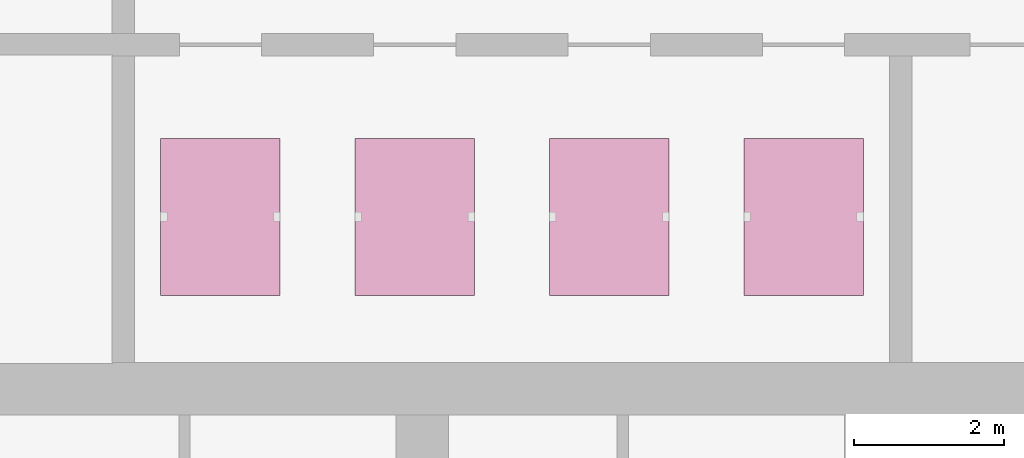
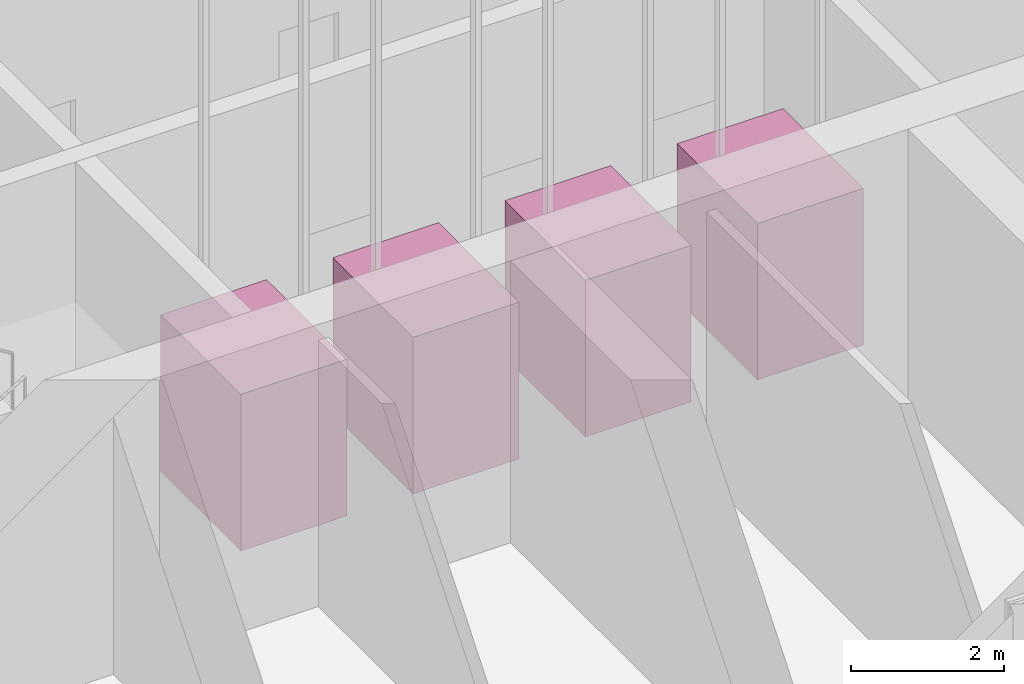
# One storey, part 27 of 35: 4 transport elements.
"""IFC4 building model written with IfcOpenShell, lengths in metres."""

from ifc_helpers import new_model, si_unit, direction, frame, origin, origin_2d, place, context, subcontext, project, spatial, rectangle, extrude, material, type_object, element, save


model = new_model("IFC4")

# Units and contexts
model_context = context("Model", 3, precision=1e-05, world=origin(), true_north=direction((0.0, 1.0)))
body_context = subcontext(model_context, "Body", "Model", "MODEL_VIEW")
ifc_project = project(units=[si_unit("LENGTHUNIT", "METRE"), si_unit("AREAUNIT", "SQUARE_METRE"), si_unit("VOLUMEUNIT", "CUBIC_METRE"), si_unit("PLANEANGLEUNIT", "RADIAN"), si_unit("MASSUNIT", "GRAM", prefix="KILO")], contexts=[model_context])

# Site, building, storey
site_placement = place(None, origin())
site = spatial("IfcSite", under=ifc_project, at=site_placement, CompositionType="ELEMENT")
building_placement = place(site_placement, origin())
building = spatial("IfcBuilding", under=site, at=building_placement, Name="Orbita Commons", CompositionType="ELEMENT")
storey_placement = place(building_placement, frame((0.0, 0.0, 208.300048828125)))
storey = spatial("IfcBuildingStorey", under=building, at=storey_placement, Name="L51", CompositionType="ELEMENT", Elevation=208.300048828125)

# Transport elements
ifc_material = material(Name="Stainless steel lift car", Category="steel")
transport_element_type = type_object("IfcTransportElementType", Name="Passenger lift, top zone 1600 kg", PredefinedType="ELEVATOR", material=ifc_material)
transport_element_1_placement = place(storey_placement, frame((27.300048828125, 28.10009765625, 0.0), z_axis=(0.0, 0.0, 1.0), x_axis=(1.0, 0.0, 0.0)))
element("IfcTransportElement", 1, at=transport_element_1_placement, inside=storey, type_object=transport_element_type, Name="P41 car", PredefinedType="ELEVATOR", context=body_context, shape_type="SweptSolid", body=[
    extrude(rectangle(XDim=1.60009765625, YDim=2.10009765625, at=origin_2d()), origin(), (0.0, 0.0, 1.0), 2.5),
])
transport_element_2_placement = place(storey_placement, frame((29.89990234375, 28.10009765625, 0.0), z_axis=(0.0, 0.0, 1.0), x_axis=(1.0, 0.0, 0.0)))
element("IfcTransportElement", 2, at=transport_element_2_placement, inside=storey, type_object=transport_element_type, Name="P42 car", PredefinedType="ELEVATOR", context=body_context, shape_type="SweptSolid", body=[
    extrude(rectangle(XDim=1.60009765625, YDim=2.10009765625, at=origin_2d()), origin(), (0.0, 0.0, 1.0), 2.5),
])
transport_element_3_placement = place(storey_placement, frame((32.5, 28.10009765625, 0.0), z_axis=(0.0, 0.0, 1.0), x_axis=(1.0, 0.0, 0.0)))
element("IfcTransportElement", 3, at=transport_element_3_placement, inside=storey, type_object=transport_element_type, Name="P43 car", PredefinedType="ELEVATOR", context=body_context, shape_type="SweptSolid", body=[
    extrude(rectangle(XDim=1.60009765625, YDim=2.10009765625, at=origin_2d()), origin(), (0.0, 0.0, 1.0), 2.5),
])
transport_element_4_placement = place(storey_placement, frame((35.10009765625, 28.10009765625, 0.0), z_axis=(0.0, 0.0, 1.0), x_axis=(1.0, 0.0, 0.0)))
element("IfcTransportElement", 4, at=transport_element_4_placement, inside=storey, type_object=transport_element_type, Name="P44 car", PredefinedType="ELEVATOR", context=body_context, shape_type="SweptSolid", body=[
    extrude(rectangle(XDim=1.60009765625, YDim=2.10009765625, at=origin_2d()), origin(), (0.0, 0.0, 1.0), 2.5),
])

save(model, "model.ifc")
